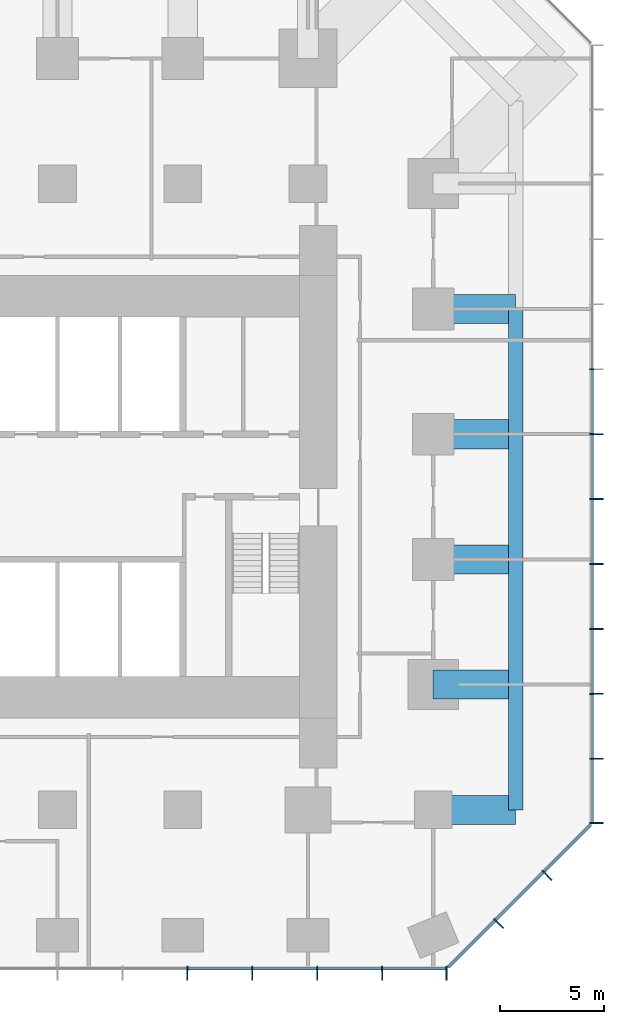
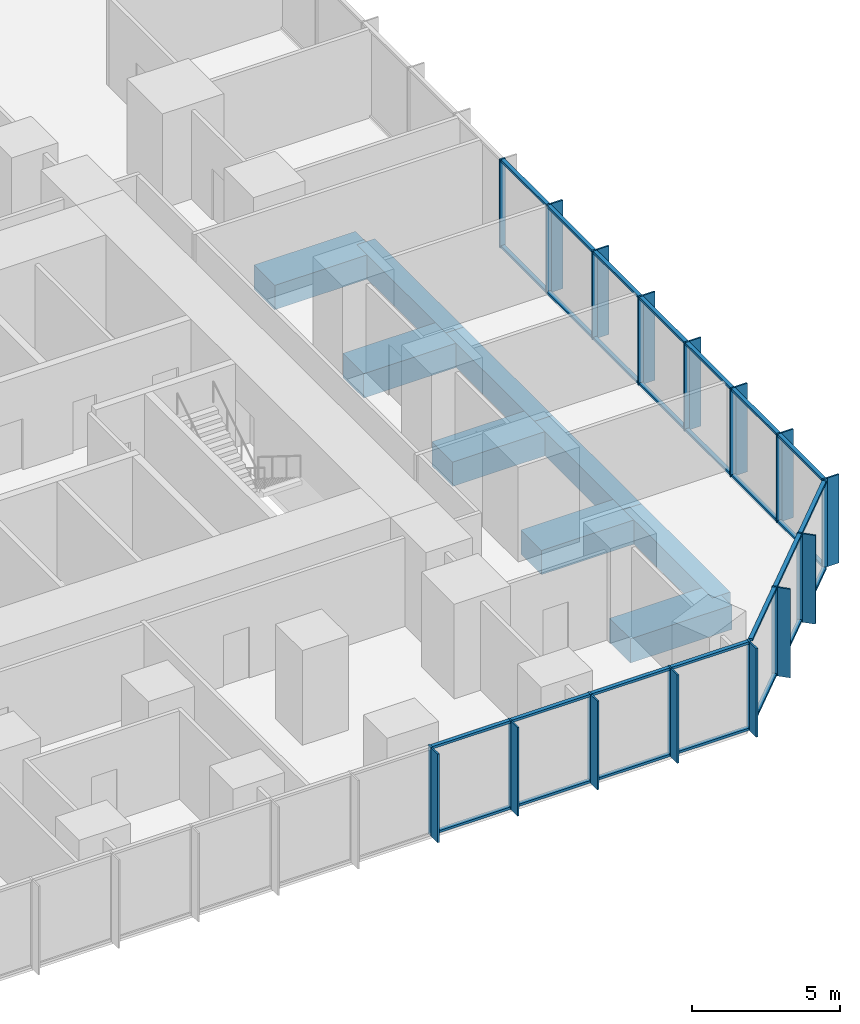
# One storey, part 4 of 13: 57 members, 9 beams, 3 elements without a shape of their own.
"""IFC4 building model written with IfcOpenShell, lengths in metres."""

from ifc_helpers import new_model, si_unit, direction, frame, origin, origin_2d, place, context, subcontext, project, spatial, rectangle, extrude, material, layer, layer_set, material_profile, profile_set, type_object, element, aggregate, save


model = new_model("IFC4")

# Units and contexts
model_context = context("Model", 3, precision=1e-05, world=origin(), true_north=direction((0.0, 1.0)))
body_context = subcontext(model_context, "Body", "Model", "MODEL_VIEW")
ifc_project = project(units=[si_unit("LENGTHUNIT", "METRE"), si_unit("AREAUNIT", "SQUARE_METRE"), si_unit("VOLUMEUNIT", "CUBIC_METRE"), si_unit("PLANEANGLEUNIT", "RADIAN"), si_unit("MASSUNIT", "GRAM", prefix="KILO")], contexts=[model_context])

# Site, building, storey
site_placement = place(None, origin())
site = spatial("IfcSite", under=ifc_project, at=site_placement, CompositionType="ELEMENT")
building_placement = place(site_placement, origin())
building = spatial("IfcBuilding", under=site, at=building_placement, Name="Highveld Stack Headquarters", CompositionType="ELEMENT")
storey_placement = place(building_placement, frame((0.0, 0.0, 84.5)))
storey = spatial("IfcBuildingStorey", under=building, at=storey_placement, Name="L20", CompositionType="ELEMENT", Elevation=84.5)

# Beams
ifc_material_1 = material(Name="Concrete C60/75", Category="concrete")
ifc_material_profile_1 = material_profile(ifc_material_1, rectangle(XDim=1.39990234375, YDim=1.0, at=origin_2d()), Name="RC 1400x1000")
ifc_profile_set_1 = profile_set([ifc_material_profile_1], Name="Concrete C60/75")
beam_type_1 = type_object("IfcBeamType", Name="CANTILEVER RIB RC 1400x1000", PredefinedType="USERDEFINED", material=ifc_profile_set_1)
for number, where, z_axis, x_axis, name in (
    (1, (24.0, -12.0, -0.75), (1.0, 0.0, 0.0), (0.0, 1.0, 0.0), "Cantilever rib 10/C L20"),
    (2, (24.0, -6.0, -0.75), (1.0, 0.0, 0.0), (0.0, 1.0, 0.0), "Cantilever rib 10/D L20"),
    (3, (24.0, 0.0, -0.75), (1.0, 0.0, 0.0), (0.0, 1.0, 0.0), "Cantilever rib 10/E L20"),
    (4, (24.0, 6.0, -0.75), (1.0, 0.0, 0.0), (0.0, 1.0, 0.0), "Cantilever rib 10/F L20"),
    (5, (24.0, 12.0, -0.75), (1.0, 0.0, 0.0), (0.0, 1.0, 0.0), "Cantilever rib 10/G L20"),
):
    element("IfcBeam", number, at=place(storey_placement, frame(where, z_axis=z_axis, x_axis=x_axis)), inside=storey, type_object=beam_type_1, Name=name, ObjectType="CANTILEVER RIB", PredefinedType="USERDEFINED", context=body_context, shape_type="SweptSolid", body=[
        extrude(rectangle(XDim=1.39990234375, YDim=1.0, at=origin_2d()), origin(), (0.0, 0.0, 1.0), 3.949951171875),
    ])

# Curtain wall, members
ifc_material_2 = material(Name="Aluminium bronze anodised", Category="aluminium")
ifc_layer_1 = layer(ifc_material_2, 0.199951171875)
ifc_layer_set_1 = layer_set([ifc_layer_1], Name="Aluminium bronze anodised")
curtain_wall_type_1 = type_object("IfcCurtainWallType", Name="CW1 TOWER UNITISED CURTAIN WALL", PredefinedType="NOTDEFINED", material=ifc_layer_set_1)
curtain_wall_1_placement = place(storey_placement, origin())
curtain_wall_1 = element("IfcCurtainWall", 6, at=curtain_wall_1_placement, inside=storey, type_object=curtain_wall_type_1, Name="Curtain wall CW1 L20 S", PredefinedType="NOTDEFINED")
ifc_material_3 = material(Name="Aluminium bronze anodised", Category="aluminium")
ifc_material_profile_2 = material_profile(ifc_material_3, rectangle(XDim=0.449951171875, YDim=0.06005859375, at=origin_2d()), Name="FIN 450x60")
ifc_profile_set_2 = profile_set([ifc_material_profile_2], Name="Aluminium bronze anodised")
member_type_1 = type_object("IfcMemberType", Name="CW1 BRONZE FIN 450x60", PredefinedType="USERDEFINED", material=ifc_profile_set_2)
member_1_placement = place(storey_placement, frame((12.220947265625, -19.925048828125, 0.0), z_axis=(0.0, 0.0, 1.0), x_axis=(0.0, 1.0, 0.0)))
member_1 = element("IfcMember", 7, at=member_1_placement, type_object=member_type_1, Name="CW1 fin L20 9", ObjectType="FIN", PredefinedType="USERDEFINED", context=body_context, shape_type="SweptSolid", body=[
    extrude(rectangle(XDim=0.449951171875, YDim=0.06005859375, at=origin_2d()), origin(), (0.0, 0.0, 1.0), 3.64990234375),
])
member_2_placement = place(storey_placement, frame((15.331298828125, -19.925048828125, 0.0), z_axis=(0.0, 0.0, 1.0), x_axis=(0.0, 1.0, 0.0)))
member_2 = element("IfcMember", 8, at=member_2_placement, type_object=member_type_1, Name="CW1 fin L20 10", ObjectType="FIN", PredefinedType="USERDEFINED", context=body_context, shape_type="SweptSolid", body=[
    extrude(rectangle(XDim=0.449951171875, YDim=0.06005859375, at=origin_2d()), origin(), (0.0, 0.0, 1.0), 3.64990234375),
])
member_3_placement = place(storey_placement, frame((18.44189453125, -19.925048828125, 0.0), z_axis=(0.0, 0.0, 1.0), x_axis=(0.0, 1.0, 0.0)))
member_3 = element("IfcMember", 9, at=member_3_placement, type_object=member_type_1, Name="CW1 fin L20 11", ObjectType="FIN", PredefinedType="USERDEFINED", context=body_context, shape_type="SweptSolid", body=[
    extrude(rectangle(XDim=0.449951171875, YDim=0.06005859375, at=origin_2d()), origin(), (0.0, 0.0, 1.0), 3.64990234375),
])
member_4_placement = place(storey_placement, frame((21.55224609375, -19.925048828125, 0.0), z_axis=(0.0, 0.0, 1.0), x_axis=(0.0, 1.0, 0.0)))
member_4 = element("IfcMember", 10, at=member_4_placement, type_object=member_type_1, Name="CW1 fin L20 12", ObjectType="FIN", PredefinedType="USERDEFINED", context=body_context, shape_type="SweptSolid", body=[
    extrude(rectangle(XDim=0.449951171875, YDim=0.06005859375, at=origin_2d()), origin(), (0.0, 0.0, 1.0), 3.64990234375),
])
member_5_placement = place(storey_placement, frame((24.630126953125, -19.925048828125, 0.0), z_axis=(0.0, 0.0, 1.0), x_axis=(0.0, 1.0, 0.0)))
member_5 = element("IfcMember", 11, at=member_5_placement, type_object=member_type_1, Name="CW1 fin L20 13", ObjectType="FIN", PredefinedType="USERDEFINED", context=body_context, shape_type="SweptSolid", body=[
    extrude(rectangle(XDim=0.449951171875, YDim=0.06005859375, at=origin_2d()), origin(), (0.0, 0.0, 1.0), 3.64990234375),
])

curtain_wall_2_placement = place(storey_placement, origin())
curtain_wall_2 = element("IfcCurtainWall", 12, at=curtain_wall_2_placement, inside=storey, type_object=curtain_wall_type_1, Name="Curtain wall CW1 L20 E", PredefinedType="NOTDEFINED")
member_6_placement = place(storey_placement, frame((31.925048828125, -12.630126953125, 0.0), z_axis=(0.0, 0.0, 1.0), x_axis=(-1.0, 0.0, 0.0)))
member_6 = element("IfcMember", 13, at=member_6_placement, type_object=member_type_1, Name="CW1 fin L20 1", ObjectType="FIN", PredefinedType="USERDEFINED", context=body_context, shape_type="SweptSolid", body=[
    extrude(rectangle(XDim=0.449951171875, YDim=0.06005859375, at=origin_2d()), origin(), (0.0, 0.0, 1.0), 3.64990234375),
])
member_7_placement = place(storey_placement, frame((31.925048828125, -9.55224609375, 0.0), z_axis=(0.0, 0.0, 1.0), x_axis=(-1.0, 0.0, 0.0)))
member_7 = element("IfcMember", 14, at=member_7_placement, type_object=member_type_1, Name="CW1 fin L20 2", ObjectType="FIN", PredefinedType="USERDEFINED", context=body_context, shape_type="SweptSolid", body=[
    extrude(rectangle(XDim=0.449951171875, YDim=0.06005859375, at=origin_2d()), origin(), (0.0, 0.0, 1.0), 3.64990234375),
])
member_8_placement = place(storey_placement, frame((31.925048828125, -6.44189453125, 0.0), z_axis=(0.0, 0.0, 1.0), x_axis=(-1.0, 0.0, 0.0)))
member_8 = element("IfcMember", 15, at=member_8_placement, type_object=member_type_1, Name="CW1 fin L20 3", ObjectType="FIN", PredefinedType="USERDEFINED", context=body_context, shape_type="SweptSolid", body=[
    extrude(rectangle(XDim=0.449951171875, YDim=0.06005859375, at=origin_2d()), origin(), (0.0, 0.0, 1.0), 3.64990234375),
])
member_9_placement = place(storey_placement, frame((31.925048828125, -3.331298828125, 0.0), z_axis=(0.0, 0.0, 1.0), x_axis=(-1.0, 0.0, 0.0)))
member_9 = element("IfcMember", 16, at=member_9_placement, type_object=member_type_1, Name="CW1 fin L20 4", ObjectType="FIN", PredefinedType="USERDEFINED", context=body_context, shape_type="SweptSolid", body=[
    extrude(rectangle(XDim=0.449951171875, YDim=0.06005859375, at=origin_2d()), origin(), (0.0, 0.0, 1.0), 3.64990234375),
])
member_10_placement = place(storey_placement, frame((31.925048828125, -0.220947265625, 0.0), z_axis=(0.0, 0.0, 1.0), x_axis=(-1.0, 0.0, 0.0)))
member_10 = element("IfcMember", 17, at=member_10_placement, type_object=member_type_1, Name="CW1 fin L20 5", ObjectType="FIN", PredefinedType="USERDEFINED", context=body_context, shape_type="SweptSolid", body=[
    extrude(rectangle(XDim=0.449951171875, YDim=0.06005859375, at=origin_2d()), origin(), (0.0, 0.0, 1.0), 3.64990234375),
])
member_11_placement = place(storey_placement, frame((31.925048828125, 2.8896484375, 0.0), z_axis=(0.0, 0.0, 1.0), x_axis=(-1.0, 0.0, 0.0)))
member_11 = element("IfcMember", 18, at=member_11_placement, type_object=member_type_1, Name="CW1 fin L20 6", ObjectType="FIN", PredefinedType="USERDEFINED", context=body_context, shape_type="SweptSolid", body=[
    extrude(rectangle(XDim=0.449951171875, YDim=0.06005859375, at=origin_2d()), origin(), (0.0, 0.0, 1.0), 3.64990234375),
])
member_12_placement = place(storey_placement, frame((31.925048828125, 6.0, 0.0), z_axis=(0.0, 0.0, 1.0), x_axis=(-1.0, 0.0, 0.0)))
member_12 = element("IfcMember", 19, at=member_12_placement, type_object=member_type_1, Name="CW1 fin L20 7", ObjectType="FIN", PredefinedType="USERDEFINED", context=body_context, shape_type="SweptSolid", body=[
    extrude(rectangle(XDim=0.449951171875, YDim=0.06005859375, at=origin_2d()), origin(), (0.0, 0.0, 1.0), 3.64990234375),
])

# Member
ifc_material_4 = material(Name="Aluminium bronze anodised", Category="aluminium")
ifc_material_profile_3 = material_profile(ifc_material_4, rectangle(XDim=0.199951171875, YDim=0.06494140625, at=origin_2d()), Name="CW1 MULLION 65x200")
ifc_profile_set_3 = profile_set([ifc_material_profile_3], Name="Aluminium bronze anodised")
member_type_2 = type_object("IfcMemberType", Name="CW1 MULLION 65x200", PredefinedType="MULLION", material=ifc_profile_set_3)
member_13_placement = place(storey_placement, frame((12.220947265625, -19.60009765625, 0.0), z_axis=(0.0, 0.0, 1.0), x_axis=(0.0, 1.0, 0.0)))
member_13 = element("IfcMember", 20, at=member_13_placement, type_object=member_type_2, Name="CW1 mullion L20 9", PredefinedType="MULLION", context=body_context, shape_type="SweptSolid", body=[
    extrude(rectangle(XDim=0.199951171875, YDim=0.06494140625, at=origin_2d()), origin(), (0.0, 0.0, 1.0), 3.64990234375),
])

member_14_placement = place(storey_placement, frame((15.331298828125, -19.60009765625, 0.0), z_axis=(0.0, 0.0, 1.0), x_axis=(0.0, 1.0, 0.0)))
member_14 = element("IfcMember", 21, at=member_14_placement, type_object=member_type_2, Name="CW1 mullion L20 10", PredefinedType="MULLION", context=body_context, shape_type="SweptSolid", body=[
    extrude(rectangle(XDim=0.199951171875, YDim=0.06494140625, at=origin_2d()), origin(), (0.0, 0.0, 1.0), 3.64990234375),
])

member_15_placement = place(storey_placement, frame((18.44189453125, -19.60009765625, 0.0), z_axis=(0.0, 0.0, 1.0), x_axis=(0.0, 1.0, 0.0)))
member_15 = element("IfcMember", 22, at=member_15_placement, type_object=member_type_2, Name="CW1 mullion L20 11", PredefinedType="MULLION", context=body_context, shape_type="SweptSolid", body=[
    extrude(rectangle(XDim=0.199951171875, YDim=0.06494140625, at=origin_2d()), origin(), (0.0, 0.0, 1.0), 3.64990234375),
])

member_16_placement = place(storey_placement, frame((21.55224609375, -19.60009765625, 0.0), z_axis=(0.0, 0.0, 1.0), x_axis=(0.0, 1.0, 0.0)))
member_16 = element("IfcMember", 23, at=member_16_placement, type_object=member_type_2, Name="CW1 mullion L20 12", PredefinedType="MULLION", context=body_context, shape_type="SweptSolid", body=[
    extrude(rectangle(XDim=0.199951171875, YDim=0.06494140625, at=origin_2d()), origin(), (0.0, 0.0, 1.0), 3.64990234375),
])

member_17_placement = place(storey_placement, frame((24.630126953125, -19.60009765625, 0.0), z_axis=(0.0, 0.0, 1.0), x_axis=(0.0, 1.0, 0.0)))
member_17 = element("IfcMember", 24, at=member_17_placement, type_object=member_type_2, Name="CW1 mullion L20 13", PredefinedType="MULLION", context=body_context, shape_type="SweptSolid", body=[
    extrude(rectangle(XDim=0.199951171875, YDim=0.06494140625, at=origin_2d()), origin(), (0.0, 0.0, 1.0), 3.64990234375),
])

member_18_placement = place(storey_placement, frame((31.60009765625, -12.630126953125, 0.0), z_axis=(0.0, 0.0, 1.0), x_axis=(-1.0, 0.0, 0.0)))
member_18 = element("IfcMember", 25, at=member_18_placement, type_object=member_type_2, Name="CW1 mullion L20 1", PredefinedType="MULLION", context=body_context, shape_type="SweptSolid", body=[
    extrude(rectangle(XDim=0.199951171875, YDim=0.06494140625, at=origin_2d()), origin(), (0.0, 0.0, 1.0), 3.64990234375),
])

member_19_placement = place(storey_placement, frame((31.60009765625, -9.55224609375, 0.0), z_axis=(0.0, 0.0, 1.0), x_axis=(-1.0, 0.0, 0.0)))
member_19 = element("IfcMember", 26, at=member_19_placement, type_object=member_type_2, Name="CW1 mullion L20 2", PredefinedType="MULLION", context=body_context, shape_type="SweptSolid", body=[
    extrude(rectangle(XDim=0.199951171875, YDim=0.06494140625, at=origin_2d()), origin(), (0.0, 0.0, 1.0), 3.64990234375),
])

member_20_placement = place(storey_placement, frame((31.60009765625, -6.44189453125, 0.0), z_axis=(0.0, 0.0, 1.0), x_axis=(-1.0, 0.0, 0.0)))
member_20 = element("IfcMember", 27, at=member_20_placement, type_object=member_type_2, Name="CW1 mullion L20 3", PredefinedType="MULLION", context=body_context, shape_type="SweptSolid", body=[
    extrude(rectangle(XDim=0.199951171875, YDim=0.06494140625, at=origin_2d()), origin(), (0.0, 0.0, 1.0), 3.64990234375),
])

member_21_placement = place(storey_placement, frame((31.60009765625, -3.331298828125, 0.0), z_axis=(0.0, 0.0, 1.0), x_axis=(-1.0, 0.0, 0.0)))
member_21 = element("IfcMember", 28, at=member_21_placement, type_object=member_type_2, Name="CW1 mullion L20 4", PredefinedType="MULLION", context=body_context, shape_type="SweptSolid", body=[
    extrude(rectangle(XDim=0.199951171875, YDim=0.06494140625, at=origin_2d()), origin(), (0.0, 0.0, 1.0), 3.64990234375),
])

member_22_placement = place(storey_placement, frame((31.60009765625, -0.220947265625, 0.0), z_axis=(0.0, 0.0, 1.0), x_axis=(-1.0, 0.0, 0.0)))
member_22 = element("IfcMember", 29, at=member_22_placement, type_object=member_type_2, Name="CW1 mullion L20 5", PredefinedType="MULLION", context=body_context, shape_type="SweptSolid", body=[
    extrude(rectangle(XDim=0.199951171875, YDim=0.06494140625, at=origin_2d()), origin(), (0.0, 0.0, 1.0), 3.64990234375),
])

member_23_placement = place(storey_placement, frame((31.60009765625, 2.8896484375, 0.0), z_axis=(0.0, 0.0, 1.0), x_axis=(-1.0, 0.0, 0.0)))
member_23 = element("IfcMember", 30, at=member_23_placement, type_object=member_type_2, Name="CW1 mullion L20 6", PredefinedType="MULLION", context=body_context, shape_type="SweptSolid", body=[
    extrude(rectangle(XDim=0.199951171875, YDim=0.06494140625, at=origin_2d()), origin(), (0.0, 0.0, 1.0), 3.64990234375),
])

member_24_placement = place(storey_placement, frame((31.60009765625, 6.0, 0.0), z_axis=(0.0, 0.0, 1.0), x_axis=(-1.0, 0.0, 0.0)))
member_24 = element("IfcMember", 31, at=member_24_placement, type_object=member_type_2, Name="CW1 mullion L20 7", PredefinedType="MULLION", context=body_context, shape_type="SweptSolid", body=[
    extrude(rectangle(XDim=0.199951171875, YDim=0.06494140625, at=origin_2d()), origin(), (0.0, 0.0, 1.0), 3.64990234375),
])

member_25_placement = place(storey_placement, frame((31.60009765625, 9.110595703125, 0.0), z_axis=(0.0, 0.0, 1.0), x_axis=(-1.0, 0.0, 0.0)))
member_25 = element("IfcMember", 32, at=member_25_placement, type_object=member_type_2, Name="CW1 mullion L20 8", PredefinedType="MULLION", context=body_context, shape_type="SweptSolid", body=[
    extrude(rectangle(XDim=0.199951171875, YDim=0.06494140625, at=origin_2d()), origin(), (0.0, 0.0, 1.0), 3.64990234375),
])

ifc_material_5 = material(Name="Aluminium bronze anodised", Category="aluminium")
ifc_material_profile_4 = material_profile(ifc_material_5, rectangle(XDim=0.14990234375, YDim=0.10009765625, at=origin_2d()), Name="CW1 TRANSOM 150x100")
ifc_profile_set_4 = profile_set([ifc_material_profile_4], Name="Aluminium bronze anodised")
member_type_3 = type_object("IfcMemberType", Name="CW1 STACK TRANSOM 150x100", PredefinedType="USERDEFINED", material=ifc_profile_set_4)
member_26_placement = place(storey_placement, frame((12.25341796875, -19.60009765625, 0.050048828125), z_axis=(1.0, 0.0, 0.0), x_axis=(0.0, 1.0, 0.0)))
member_26 = element("IfcMember", 33, at=member_26_placement, type_object=member_type_3, Name="CW1 transom L20 9.1", ObjectType="TRANSOM", PredefinedType="USERDEFINED", context=body_context, shape_type="SweptSolid", body=[
    extrude(rectangle(XDim=0.14990234375, YDim=0.10009765625, at=origin_2d()), origin(), (0.0, 0.0, 1.0), 3.04541015625),
])

member_27_placement = place(storey_placement, frame((12.25341796875, -19.60009765625, 3.60009765625), z_axis=(1.0, 0.0, 0.0), x_axis=(0.0, 1.0, 0.0)))
member_27 = element("IfcMember", 34, at=member_27_placement, type_object=member_type_3, Name="CW1 transom L20 9.2", ObjectType="TRANSOM", PredefinedType="USERDEFINED", context=body_context, shape_type="SweptSolid", body=[
    extrude(rectangle(XDim=0.14990234375, YDim=0.10009765625, at=origin_2d()), origin(), (0.0, 0.0, 1.0), 3.04541015625),
])

member_28_placement = place(storey_placement, frame((15.364013671875, -19.60009765625, 0.050048828125), z_axis=(1.0, 0.0, 0.0), x_axis=(0.0, 1.0, 0.0)))
member_28 = element("IfcMember", 35, at=member_28_placement, type_object=member_type_3, Name="CW1 transom L20 10.1", ObjectType="TRANSOM", PredefinedType="USERDEFINED", context=body_context, shape_type="SweptSolid", body=[
    extrude(rectangle(XDim=0.14990234375, YDim=0.10009765625, at=origin_2d()), origin(), (0.0, 0.0, 1.0), 3.045166015625),
])

member_29_placement = place(storey_placement, frame((15.364013671875, -19.60009765625, 3.60009765625), z_axis=(1.0, 0.0, 0.0), x_axis=(0.0, 1.0, 0.0)))
member_29 = element("IfcMember", 36, at=member_29_placement, type_object=member_type_3, Name="CW1 transom L20 10.2", ObjectType="TRANSOM", PredefinedType="USERDEFINED", context=body_context, shape_type="SweptSolid", body=[
    extrude(rectangle(XDim=0.14990234375, YDim=0.10009765625, at=origin_2d()), origin(), (0.0, 0.0, 1.0), 3.045166015625),
])

member_30_placement = place(storey_placement, frame((18.474365234375, -19.60009765625, 0.050048828125), z_axis=(1.0, 0.0, 0.0), x_axis=(0.0, 1.0, 0.0)))
member_30 = element("IfcMember", 37, at=member_30_placement, type_object=member_type_3, Name="CW1 transom L20 11.1", ObjectType="TRANSOM", PredefinedType="USERDEFINED", context=body_context, shape_type="SweptSolid", body=[
    extrude(rectangle(XDim=0.14990234375, YDim=0.10009765625, at=origin_2d()), origin(), (0.0, 0.0, 1.0), 3.04541015625),
])

member_31_placement = place(storey_placement, frame((18.474365234375, -19.60009765625, 3.60009765625), z_axis=(1.0, 0.0, 0.0), x_axis=(0.0, 1.0, 0.0)))
member_31 = element("IfcMember", 38, at=member_31_placement, type_object=member_type_3, Name="CW1 transom L20 11.2", ObjectType="TRANSOM", PredefinedType="USERDEFINED", context=body_context, shape_type="SweptSolid", body=[
    extrude(rectangle(XDim=0.14990234375, YDim=0.10009765625, at=origin_2d()), origin(), (0.0, 0.0, 1.0), 3.04541015625),
])

member_32_placement = place(storey_placement, frame((21.584716796875, -19.60009765625, 0.050048828125), z_axis=(1.0, 0.0, 0.0), x_axis=(0.0, 1.0, 0.0)))
member_32 = element("IfcMember", 39, at=member_32_placement, type_object=member_type_3, Name="CW1 transom L20 12.1", ObjectType="TRANSOM", PredefinedType="USERDEFINED", context=body_context, shape_type="SweptSolid", body=[
    extrude(rectangle(XDim=0.14990234375, YDim=0.10009765625, at=origin_2d()), origin(), (0.0, 0.0, 1.0), 3.012939453125),
])

member_33_placement = place(storey_placement, frame((21.584716796875, -19.60009765625, 3.60009765625), z_axis=(1.0, 0.0, 0.0), x_axis=(0.0, 1.0, 0.0)))
member_33 = element("IfcMember", 40, at=member_33_placement, type_object=member_type_3, Name="CW1 transom L20 12.2", ObjectType="TRANSOM", PredefinedType="USERDEFINED", context=body_context, shape_type="SweptSolid", body=[
    extrude(rectangle(XDim=0.14990234375, YDim=0.10009765625, at=origin_2d()), origin(), (0.0, 0.0, 1.0), 3.012939453125),
])

aggregate(curtain_wall_1, [member_13, member_1, member_14, member_2, member_15, member_3, member_16, member_4, member_17, member_5, member_26, member_27, member_28, member_29, member_30, member_31, member_32, member_33])

member_34_placement = place(storey_placement, frame((31.60009765625, -12.59765625, 0.050048828125), z_axis=(0.0, 1.0, 0.0), x_axis=(-1.0, 0.0, 0.0)))
member_34 = element("IfcMember", 41, at=member_34_placement, type_object=member_type_3, Name="CW1 transom L20 1.1", ObjectType="TRANSOM", PredefinedType="USERDEFINED", context=body_context, shape_type="SweptSolid", body=[
    extrude(rectangle(XDim=0.14990234375, YDim=0.10009765625, at=origin_2d()), origin(), (0.0, 0.0, 1.0), 3.012939453125),
])

member_35_placement = place(storey_placement, frame((31.60009765625, -12.59765625, 3.60009765625), z_axis=(0.0, 1.0, 0.0), x_axis=(-1.0, 0.0, 0.0)))
member_35 = element("IfcMember", 42, at=member_35_placement, type_object=member_type_3, Name="CW1 transom L20 1.2", ObjectType="TRANSOM", PredefinedType="USERDEFINED", context=body_context, shape_type="SweptSolid", body=[
    extrude(rectangle(XDim=0.14990234375, YDim=0.10009765625, at=origin_2d()), origin(), (0.0, 0.0, 1.0), 3.012939453125),
])

member_36_placement = place(storey_placement, frame((31.60009765625, -9.519775390625, 0.050048828125), z_axis=(0.0, 1.0, 0.0), x_axis=(-1.0, 0.0, 0.0)))
member_36 = element("IfcMember", 43, at=member_36_placement, type_object=member_type_3, Name="CW1 transom L20 2.1", ObjectType="TRANSOM", PredefinedType="USERDEFINED", context=body_context, shape_type="SweptSolid", body=[
    extrude(rectangle(XDim=0.14990234375, YDim=0.10009765625, at=origin_2d()), origin(), (0.0, 0.0, 1.0), 3.04541015625),
])

member_37_placement = place(storey_placement, frame((31.60009765625, -9.519775390625, 3.60009765625), z_axis=(0.0, 1.0, 0.0), x_axis=(-1.0, 0.0, 0.0)))
member_37 = element("IfcMember", 44, at=member_37_placement, type_object=member_type_3, Name="CW1 transom L20 2.2", ObjectType="TRANSOM", PredefinedType="USERDEFINED", context=body_context, shape_type="SweptSolid", body=[
    extrude(rectangle(XDim=0.14990234375, YDim=0.10009765625, at=origin_2d()), origin(), (0.0, 0.0, 1.0), 3.04541015625),
])

member_38_placement = place(storey_placement, frame((31.60009765625, -6.4091796875, 0.050048828125), z_axis=(0.0, 1.0, 0.0), x_axis=(-1.0, 0.0, 0.0)))
member_38 = element("IfcMember", 45, at=member_38_placement, type_object=member_type_3, Name="CW1 transom L20 3.1", ObjectType="TRANSOM", PredefinedType="USERDEFINED", context=body_context, shape_type="SweptSolid", body=[
    extrude(rectangle(XDim=0.14990234375, YDim=0.10009765625, at=origin_2d()), origin(), (0.0, 0.0, 1.0), 3.04541015625),
])

member_39_placement = place(storey_placement, frame((31.60009765625, -6.4091796875, 3.60009765625), z_axis=(0.0, 1.0, 0.0), x_axis=(-1.0, 0.0, 0.0)))
member_39 = element("IfcMember", 46, at=member_39_placement, type_object=member_type_3, Name="CW1 transom L20 3.2", ObjectType="TRANSOM", PredefinedType="USERDEFINED", context=body_context, shape_type="SweptSolid", body=[
    extrude(rectangle(XDim=0.14990234375, YDim=0.10009765625, at=origin_2d()), origin(), (0.0, 0.0, 1.0), 3.04541015625),
])

member_40_placement = place(storey_placement, frame((31.60009765625, -3.298828125, 0.050048828125), z_axis=(0.0, 1.0, 0.0), x_axis=(-1.0, 0.0, 0.0)))
member_40 = element("IfcMember", 47, at=member_40_placement, type_object=member_type_3, Name="CW1 transom L20 4.1", ObjectType="TRANSOM", PredefinedType="USERDEFINED", context=body_context, shape_type="SweptSolid", body=[
    extrude(rectangle(XDim=0.14990234375, YDim=0.10009765625, at=origin_2d()), origin(), (0.0, 0.0, 1.0), 3.04541015625),
])

member_41_placement = place(storey_placement, frame((31.60009765625, -3.298828125, 3.60009765625), z_axis=(0.0, 1.0, 0.0), x_axis=(-1.0, 0.0, 0.0)))
member_41 = element("IfcMember", 48, at=member_41_placement, type_object=member_type_3, Name="CW1 transom L20 4.2", ObjectType="TRANSOM", PredefinedType="USERDEFINED", context=body_context, shape_type="SweptSolid", body=[
    extrude(rectangle(XDim=0.14990234375, YDim=0.10009765625, at=origin_2d()), origin(), (0.0, 0.0, 1.0), 3.04541015625),
])

member_42_placement = place(storey_placement, frame((31.60009765625, -0.1884765625, 0.050048828125), z_axis=(0.0, 1.0, 0.0), x_axis=(-1.0, 0.0, 0.0)))
member_42 = element("IfcMember", 49, at=member_42_placement, type_object=member_type_3, Name="CW1 transom L20 5.1", ObjectType="TRANSOM", PredefinedType="USERDEFINED", context=body_context, shape_type="SweptSolid", body=[
    extrude(rectangle(XDim=0.14990234375, YDim=0.10009765625, at=origin_2d()), origin(), (0.0, 0.0, 1.0), 3.045654296875),
])

member_43_placement = place(storey_placement, frame((31.60009765625, -0.1884765625, 3.60009765625), z_axis=(0.0, 1.0, 0.0), x_axis=(-1.0, 0.0, 0.0)))
member_43 = element("IfcMember", 50, at=member_43_placement, type_object=member_type_3, Name="CW1 transom L20 5.2", ObjectType="TRANSOM", PredefinedType="USERDEFINED", context=body_context, shape_type="SweptSolid", body=[
    extrude(rectangle(XDim=0.14990234375, YDim=0.10009765625, at=origin_2d()), origin(), (0.0, 0.0, 1.0), 3.045654296875),
])

member_44_placement = place(storey_placement, frame((31.60009765625, 2.922119140625, 0.050048828125), z_axis=(0.0, 1.0, 0.0), x_axis=(-1.0, 0.0, 0.0)))
member_44 = element("IfcMember", 51, at=member_44_placement, type_object=member_type_3, Name="CW1 transom L20 6.1", ObjectType="TRANSOM", PredefinedType="USERDEFINED", context=body_context, shape_type="SweptSolid", body=[
    extrude(rectangle(XDim=0.14990234375, YDim=0.10009765625, at=origin_2d()), origin(), (0.0, 0.0, 1.0), 3.04541015625),
])

member_45_placement = place(storey_placement, frame((31.60009765625, 2.922119140625, 3.60009765625), z_axis=(0.0, 1.0, 0.0), x_axis=(-1.0, 0.0, 0.0)))
member_45 = element("IfcMember", 52, at=member_45_placement, type_object=member_type_3, Name="CW1 transom L20 6.2", ObjectType="TRANSOM", PredefinedType="USERDEFINED", context=body_context, shape_type="SweptSolid", body=[
    extrude(rectangle(XDim=0.14990234375, YDim=0.10009765625, at=origin_2d()), origin(), (0.0, 0.0, 1.0), 3.04541015625),
])

member_46_placement = place(storey_placement, frame((31.60009765625, 6.032470703125, 0.050048828125), z_axis=(0.0, 1.0, 0.0), x_axis=(-1.0, 0.0, 0.0)))
member_46 = element("IfcMember", 53, at=member_46_placement, type_object=member_type_3, Name="CW1 transom L20 7.1", ObjectType="TRANSOM", PredefinedType="USERDEFINED", context=body_context, shape_type="SweptSolid", body=[
    extrude(rectangle(XDim=0.14990234375, YDim=0.10009765625, at=origin_2d()), origin(), (0.0, 0.0, 1.0), 3.04541015625),
])

member_47_placement = place(storey_placement, frame((31.60009765625, 6.032470703125, 3.60009765625), z_axis=(0.0, 1.0, 0.0), x_axis=(-1.0, 0.0, 0.0)))
member_47 = element("IfcMember", 54, at=member_47_placement, type_object=member_type_3, Name="CW1 transom L20 7.2", ObjectType="TRANSOM", PredefinedType="USERDEFINED", context=body_context, shape_type="SweptSolid", body=[
    extrude(rectangle(XDim=0.14990234375, YDim=0.10009765625, at=origin_2d()), origin(), (0.0, 0.0, 1.0), 3.04541015625),
])

aggregate(curtain_wall_2, [member_18, member_6, member_19, member_7, member_20, member_8, member_21, member_9, member_22, member_10, member_23, member_11, member_24, member_12, member_25, member_34, member_35, member_36, member_37, member_38, member_39, member_40, member_41, member_42, member_43, member_44, member_45, member_46, member_47])

# Curtain wall, members
ifc_material_6 = material(Name="Aluminium bronze anodised", Category="aluminium")
ifc_layer_2 = layer(ifc_material_6, 0.199951171875)
ifc_layer_set_2 = layer_set([ifc_layer_2], Name="Aluminium bronze anodised")
curtain_wall_type_2 = type_object("IfcCurtainWallType", Name="CW2 TOWER CHAMFER UNITISED CURTAIN WALL", PredefinedType="NOTDEFINED", material=ifc_layer_set_2)
curtain_wall_3_placement = place(storey_placement, origin())
curtain_wall_3 = element("IfcCurtainWall", 55, at=curtain_wall_3_placement, inside=storey, type_object=curtain_wall_type_2, Name="Curtain wall CW2 L20 SE", PredefinedType="NOTDEFINED")
ifc_material_7 = material(Name="Aluminium bronze anodised", Category="aluminium")
ifc_material_profile_5 = material_profile(ifc_material_7, rectangle(XDim=0.449951171875, YDim=0.06005859375, at=origin_2d()), Name="FIN 450x60")
ifc_profile_set_5 = profile_set([ifc_material_profile_5], Name="Aluminium bronze anodised")
member_type_4 = type_object("IfcMemberType", Name="CW2 BRONZE FIN 450x60", PredefinedType="USERDEFINED", material=ifc_profile_set_5)
member_48_placement = place(storey_placement, frame((27.204833984375, -17.517333984375, 0.0), z_axis=(0.0, 0.0, 1.0), x_axis=(-0.707106781187, 0.707106781187, 0.0)))
member_48 = element("IfcMember", 56, at=member_48_placement, type_object=member_type_4, Name="CW2 fin L20 1", ObjectType="FIN", PredefinedType="USERDEFINED", context=body_context, shape_type="SweptSolid", body=[
    extrude(rectangle(XDim=0.449951171875, YDim=0.06005859375, at=origin_2d()), origin(), (0.0, 0.0, 1.0), 3.64990234375),
])
member_49_placement = place(storey_placement, frame((29.517333984375, -15.204833984375, 0.0), z_axis=(0.0, 0.0, 1.0), x_axis=(-0.707106781187, 0.707106781187, 0.0)))
member_49 = element("IfcMember", 57, at=member_49_placement, type_object=member_type_4, Name="CW2 fin L20 2", ObjectType="FIN", PredefinedType="USERDEFINED", context=body_context, shape_type="SweptSolid", body=[
    extrude(rectangle(XDim=0.449951171875, YDim=0.06005859375, at=origin_2d()), origin(), (0.0, 0.0, 1.0), 3.64990234375),
])
ifc_material_8 = material(Name="Aluminium bronze anodised", Category="aluminium")
ifc_material_profile_6 = material_profile(ifc_material_8, rectangle(XDim=0.199951171875, YDim=0.06494140625, at=origin_2d()), Name="CW2 MULLION 65x200")
ifc_profile_set_6 = profile_set([ifc_material_profile_6], Name="Aluminium bronze anodised")
member_type_5 = type_object("IfcMemberType", Name="CW2 MULLION 65x200", PredefinedType="MULLION", material=ifc_profile_set_6)
member_50_placement = place(storey_placement, frame((26.97509765625, -17.28759765625, 0.0), z_axis=(0.0, 0.0, 1.0), x_axis=(-0.707106781187, 0.707106781187, 0.0)))
member_50 = element("IfcMember", 58, at=member_50_placement, type_object=member_type_5, Name="CW2 mullion L20 1", PredefinedType="MULLION", context=body_context, shape_type="SweptSolid", body=[
    extrude(rectangle(XDim=0.199951171875, YDim=0.06494140625, at=origin_2d()), origin(), (0.0, 0.0, 1.0), 3.64990234375),
])
member_51_placement = place(storey_placement, frame((29.28759765625, -14.97509765625, 0.0), z_axis=(0.0, 0.0, 1.0), x_axis=(-0.707106781187, 0.707106781187, 0.0)))
member_51 = element("IfcMember", 59, at=member_51_placement, type_object=member_type_5, Name="CW2 mullion L20 2", PredefinedType="MULLION", context=body_context, shape_type="SweptSolid", body=[
    extrude(rectangle(XDim=0.199951171875, YDim=0.06494140625, at=origin_2d()), origin(), (0.0, 0.0, 1.0), 3.64990234375),
])
ifc_material_9 = material(Name="Aluminium bronze anodised", Category="aluminium")
ifc_material_profile_7 = material_profile(ifc_material_9, rectangle(XDim=0.14990234375, YDim=0.10009765625, at=origin_2d()), Name="CW2 TRANSOM 150x100")
ifc_profile_set_7 = profile_set([ifc_material_profile_7], Name="Aluminium bronze anodised")
member_type_6 = type_object("IfcMemberType", Name="CW2 STACK TRANSOM 150x100", PredefinedType="USERDEFINED", material=ifc_profile_set_7)
member_52_placement = place(storey_placement, frame((24.7333984375, -19.529296875, 0.050048828125), z_axis=(0.707106781187, 0.707106781187, 0.0), x_axis=(-0.707106781187, 0.707106781187, 0.0)))
member_52 = element("IfcMember", 60, at=member_52_placement, type_object=member_type_6, Name="CW2 transom L20 1.1", ObjectType="TRANSOM", PredefinedType="USERDEFINED", context=body_context, shape_type="SweptSolid", body=[
    extrude(rectangle(XDim=0.14990234375, YDim=0.10009765625, at=origin_2d()), origin(), (0.0, 0.0, 1.0), 3.1376953125),
])
member_53_placement = place(storey_placement, frame((24.7333984375, -19.529296875, 3.60009765625), z_axis=(0.707106781187, 0.707106781187, 0.0), x_axis=(-0.707106781187, 0.707106781187, 0.0)))
member_53 = element("IfcMember", 61, at=member_53_placement, type_object=member_type_6, Name="CW2 transom L20 1.2", ObjectType="TRANSOM", PredefinedType="USERDEFINED", context=body_context, shape_type="SweptSolid", body=[
    extrude(rectangle(XDim=0.14990234375, YDim=0.10009765625, at=origin_2d()), origin(), (0.0, 0.0, 1.0), 3.1376953125),
])
member_54_placement = place(storey_placement, frame((26.998046875, -17.2646484375, 0.050048828125), z_axis=(0.707106781187, 0.707106781187, 0.0), x_axis=(-0.707106781187, 0.707106781187, 0.0)))
member_54 = element("IfcMember", 62, at=member_54_placement, type_object=member_type_6, Name="CW2 transom L20 2.1", ObjectType="TRANSOM", PredefinedType="USERDEFINED", context=body_context, shape_type="SweptSolid", body=[
    extrude(rectangle(XDim=0.14990234375, YDim=0.10009765625, at=origin_2d()), origin(), (0.0, 0.0, 1.0), 3.20556640625),
])
member_55_placement = place(storey_placement, frame((26.998046875, -17.2646484375, 3.60009765625), z_axis=(0.707106781187, 0.707106781187, 0.0), x_axis=(-0.707106781187, 0.707106781187, 0.0)))
member_55 = element("IfcMember", 63, at=member_55_placement, type_object=member_type_6, Name="CW2 transom L20 2.2", ObjectType="TRANSOM", PredefinedType="USERDEFINED", context=body_context, shape_type="SweptSolid", body=[
    extrude(rectangle(XDim=0.14990234375, YDim=0.10009765625, at=origin_2d()), origin(), (0.0, 0.0, 1.0), 3.20556640625),
])
member_56_placement = place(storey_placement, frame((29.310546875, -14.9521484375, 0.050048828125), z_axis=(0.707106781187, 0.707106781187, 0.0), x_axis=(-0.707106781187, 0.707106781187, 0.0)))
member_56 = element("IfcMember", 64, at=member_56_placement, type_object=member_type_6, Name="CW2 transom L20 3.1", ObjectType="TRANSOM", PredefinedType="USERDEFINED", context=body_context, shape_type="SweptSolid", body=[
    extrude(rectangle(XDim=0.14990234375, YDim=0.10009765625, at=origin_2d()), origin(), (0.0, 0.0, 1.0), 3.1376953125),
])
member_57_placement = place(storey_placement, frame((29.310546875, -14.9521484375, 3.60009765625), z_axis=(0.707106781187, 0.707106781187, 0.0), x_axis=(-0.707106781187, 0.707106781187, 0.0)))
member_57 = element("IfcMember", 65, at=member_57_placement, type_object=member_type_6, Name="CW2 transom L20 3.2", ObjectType="TRANSOM", PredefinedType="USERDEFINED", context=body_context, shape_type="SweptSolid", body=[
    extrude(rectangle(XDim=0.14990234375, YDim=0.10009765625, at=origin_2d()), origin(), (0.0, 0.0, 1.0), 3.1376953125),
])
aggregate(curtain_wall_3, [member_50, member_48, member_51, member_49, member_52, member_53, member_54, member_55, member_56, member_57])

# Beams
ifc_material_10 = material(Name="Concrete C60/75", Category="concrete")
ifc_material_profile_8 = material_profile(ifc_material_10, rectangle(XDim=0.699951171875, YDim=1.0, at=origin_2d()), Name="RC 700x1000")
ifc_profile_set_8 = profile_set([ifc_material_profile_8], Name="Concrete C60/75")
beam_type_2 = type_object("IfcBeamType", Name="RIB TIP BEAM RC 700x1000", PredefinedType="SPANDREL", material=ifc_profile_set_8)
for number, where, z_axis, x_axis, name in (
    (66, (27.949951171875, -12.0, -0.75), (0.0, 1.0, 0.0), (-1.0, 0.0, 0.0), "Rib tip beam 10/C to 10/D L20"),
    (67, (27.949951171875, -6.0, -0.75), (0.0, 1.0, 0.0), (-1.0, 0.0, 0.0), "Rib tip beam 10/D to 10/E L20"),
    (68, (27.949951171875, 0.0, -0.75), (0.0, 1.0, 0.0), (-1.0, 0.0, 0.0), "Rib tip beam 10/E to 10/F L20"),
    (69, (27.949951171875, 6.0, -0.75), (0.0, 1.0, 0.0), (-1.0, 0.0, 0.0), "Rib tip beam 10/F to 10/G L20"),
):
    element("IfcBeam", number, at=place(storey_placement, frame(where, z_axis=z_axis, x_axis=x_axis)), inside=storey, type_object=beam_type_2, Name=name, PredefinedType="SPANDREL", context=body_context, shape_type="SweptSolid", body=[
        extrude(rectangle(XDim=0.699951171875, YDim=1.0, at=origin_2d()), origin(), (0.0, 0.0, 1.0), 6.0),
    ])

save(model, "model.ifc")
